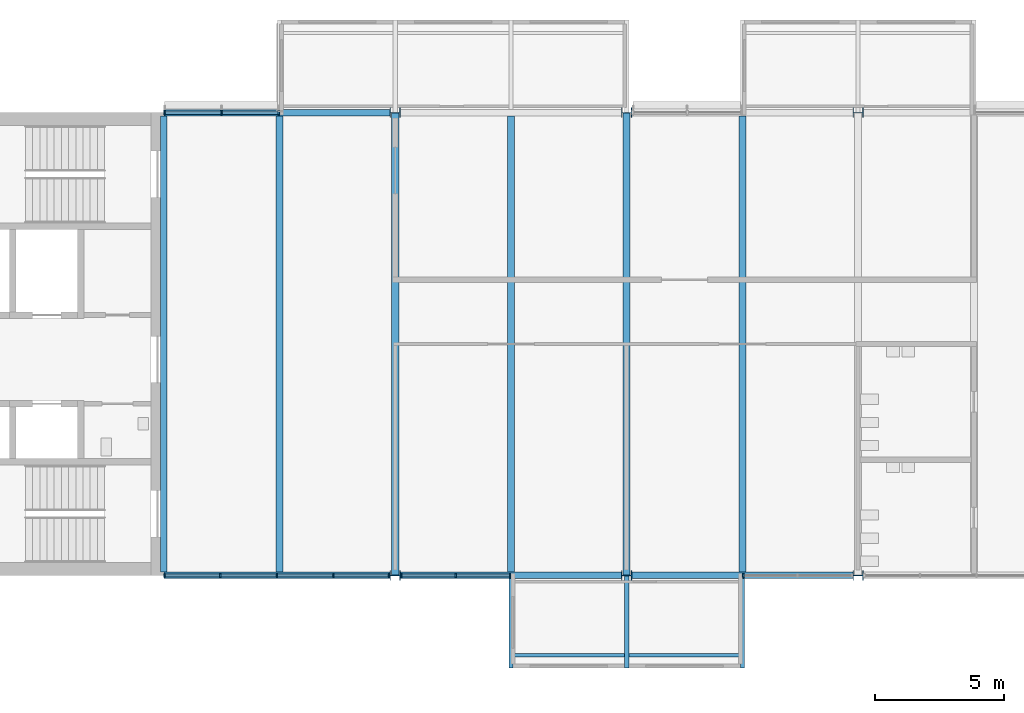
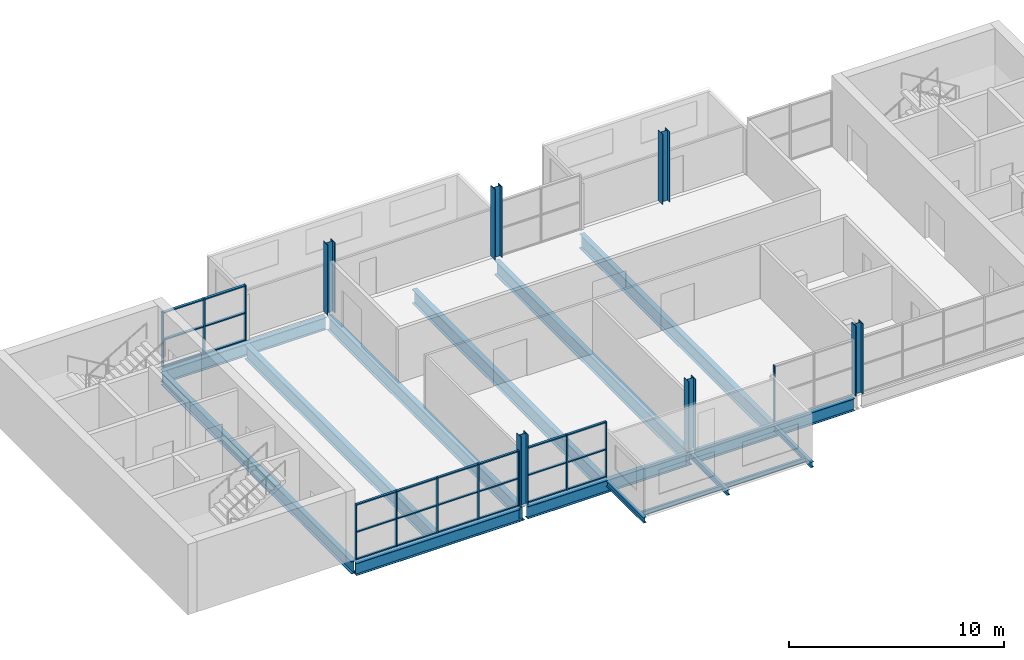
# One storey, part 1 of 10: 36 members, 15 beams, 6 columns, 4 elements without a shape of their own.
"""IFC4 building model written with IfcOpenShell, lengths in metres."""

from ifc_helpers import new_model, si_unit, direction, frame, origin, origin_2d, place, context, subcontext, project, spatial, rectangle, i_section, extrude, material, layer, layer_set, material_profile, profile_set, type_object, element, aggregate, save


model = new_model("IFC4")

# Units and contexts
model_context = context("Model", 3, precision=1e-05, world=origin(), true_north=direction((0.0, 1.0)))
body_context = subcontext(model_context, "Body", "Model", "MODEL_VIEW")
ifc_project = project(units=[si_unit("LENGTHUNIT", "METRE"), si_unit("AREAUNIT", "SQUARE_METRE"), si_unit("VOLUMEUNIT", "CUBIC_METRE"), si_unit("PLANEANGLEUNIT", "RADIAN"), si_unit("MASSUNIT", "GRAM", prefix="KILO")], contexts=[model_context])

# Site, building, storey
site_placement = place(None, origin())
site = spatial("IfcSite", under=ifc_project, at=site_placement, CompositionType="ELEMENT")
building_placement = place(site_placement, origin())
building = spatial("IfcBuilding", under=site, at=building_placement, Name="Corbel Yard City Hall", CompositionType="ELEMENT")
storey_placement = place(building_placement, frame((0.0, 0.0, 43.199951171875)))
storey = spatial("IfcBuildingStorey", under=building, at=storey_placement, Name="L10", CompositionType="ELEMENT", Elevation=43.199951171875)

# Columns
ifc_material_1 = material(Name="Steel Grade 350", Category="steel")
ifc_material_profile_1 = material_profile(ifc_material_1, i_section(OverallWidth=0.39990234375, OverallDepth=0.4140625, WebThickness=0.02490234375, FlangeThickness=0.031982421875, at=origin_2d()), Name="400WC270")
ifc_profile_set_1 = profile_set([ifc_material_profile_1], Name="Steel Grade 350")
column_type = type_object("IfcColumnType", Name="Column 400WC270", PredefinedType="COLUMN", material=ifc_profile_set_1)
for number, where, z_axis, x_axis, name in (
    (1, (18.0, 99.0, 0.0), (0.0, 0.0, 1.0), (0.0, 1.0, 0.0), "Column 400WC270 L/3 L10"),
    (2, (18.0, 117.0, 0.0), (0.0, 0.0, 1.0), (0.0, 1.0, 0.0), "Column 400WC270 N/3 L10"),
    (3, (27.0, 99.0, 0.0), (0.0, 0.0, 1.0), (0.0, 1.0, 0.0), "Column 400WC270 L/4 L10"),
    (4, (27.0, 117.0, 0.0), (0.0, 0.0, 1.0), (0.0, 1.0, 0.0), "Column 400WC270 N/4 L10"),
    (5, (36.0, 99.0, 0.0), (0.0, 0.0, 1.0), (0.0, 1.0, 0.0), "Column 400WC270 L/5 L10"),
    (6, (36.0, 117.0, 0.0), (0.0, 0.0, 1.0), (0.0, 1.0, 0.0), "Column 400WC270 N/5 L10"),
):
    element("IfcColumn", number, at=place(storey_placement, frame(where, z_axis=z_axis, x_axis=x_axis)), inside=storey, type_object=column_type, Name=name, PredefinedType="COLUMN", context=body_context, shape_type="SweptSolid", body=[
        extrude(i_section(OverallWidth=0.39990234375, OverallDepth=0.4140625, WebThickness=0.02490234375, FlangeThickness=0.031982421875, at=origin_2d()), origin(), (0.0, 0.0, 1.0), 4.0),
    ])

# Beams
ifc_material_profile_2 = material_profile(ifc_material_1, i_section(OverallWidth=0.25, OverallDepth=0.699951171875, WebThickness=0.010009765625, FlangeThickness=0.02001953125, at=origin_2d()), Name="700WB130")
ifc_profile_set_2 = profile_set([ifc_material_profile_2], Name="Steel Grade 350")
beam_type_1 = type_object("IfcBeamType", Name="Edge beam 700WB130", PredefinedType="BEAM", material=ifc_profile_set_2)
beam_1_placement = place(storey_placement, frame((9.0, 99.0, -0.5), z_axis=(1.0, 0.0, 0.0), x_axis=(0.0, 1.0, 0.0)))
element("IfcBeam", 7, at=beam_1_placement, inside=storey, type_object=beam_type_1, Name="Edge beam 700WB130 EB9 L10tower", PredefinedType="BEAM", context=body_context, shape_type="SweptSolid", body=[
    extrude(i_section(OverallWidth=0.25, OverallDepth=0.699951171875, WebThickness=0.010009765625, FlangeThickness=0.02001953125, at=origin_2d()), origin(), (0.0, 0.0, 1.0), 8.79296875),
])
for number, where, z_axis, x_axis, name in (
    (8, (18.20703125, 99.0, -0.5), (1.0, 0.0, 0.0), (0.0, 1.0, 0.0), "Edge beam 700WB130 EB9 L10tower"),
    (9, (27.20703125, 99.0, -0.5), (1.0, 0.0, 0.0), (0.0, 1.0, 0.0), "Edge beam 700WB130 EB9 L10tower"),
):
    element("IfcBeam", number, at=place(storey_placement, frame(where, z_axis=z_axis, x_axis=x_axis)), inside=storey, type_object=beam_type_1, Name=name, PredefinedType="BEAM", context=body_context, shape_type="SweptSolid", body=[
        extrude(i_section(OverallWidth=0.25, OverallDepth=0.699951171875, WebThickness=0.010009765625, FlangeThickness=0.02001953125, at=origin_2d()), origin(), (0.0, 0.0, 1.0), 8.5859375),
    ])
beam_2_placement = place(storey_placement, frame((9.0, 117.0, -0.5), z_axis=(1.0, 0.0, 0.0), x_axis=(0.0, 1.0, 0.0)))
element("IfcBeam", 10, at=beam_2_placement, inside=storey, type_object=beam_type_1, Name="Edge beam 700WB130 EB9 L10tower", PredefinedType="BEAM", context=body_context, shape_type="SweptSolid", body=[
    extrude(i_section(OverallWidth=0.25, OverallDepth=0.699951171875, WebThickness=0.010009765625, FlangeThickness=0.02001953125, at=origin_2d()), origin(), (0.0, 0.0, 1.0), 8.79296875),
])
ifc_material_profile_3 = material_profile(ifc_material_1, i_section(OverallWidth=0.27490234375, OverallDepth=0.800048828125, WebThickness=0.010009765625, FlangeThickness=0.02001953125, at=origin_2d()), Name="800WB146")
ifc_profile_set_3 = profile_set([ifc_material_profile_3], Name="Steel Grade 350")
beam_type_2 = type_object("IfcBeamType", Name="Long-span beam 800WB146", PredefinedType="BEAM", material=ifc_profile_set_3)
for number, where, z_axis, x_axis, name in (
    (11, (18.0, 99.012451171875, -0.550048828125), (0.0, 1.0, 0.0), (-1.0, 0.0, 0.0), "Long-span beam 800WB146 SB8 L10tower"),
    (12, (27.0, 99.012451171875, -0.550048828125), (0.0, 1.0, 0.0), (-1.0, 0.0, 0.0), "Long-span beam 800WB146 SB8 L10tower"),
):
    element("IfcBeam", number, at=place(storey_placement, frame(where, z_axis=z_axis, x_axis=x_axis)), inside=storey, type_object=beam_type_2, Name=name, PredefinedType="BEAM", context=body_context, shape_type="SweptSolid", body=[
        extrude(i_section(OverallWidth=0.27490234375, OverallDepth=0.800048828125, WebThickness=0.010009765625, FlangeThickness=0.02001953125, at=origin_2d()), origin(), (0.0, 0.0, 1.0), 17.97509765625),
    ])
ifc_material_profile_4 = material_profile(ifc_material_1, i_section(OverallWidth=0.25, OverallDepth=0.7099609375, WebThickness=0.010009765625, FlangeThickness=0.02490234375, at=origin_2d()), Name="700WB150")
ifc_profile_set_4 = profile_set([ifc_material_profile_4], Name="Steel Grade 350")
beam_type_3 = type_object("IfcBeamType", Name="Long-span edge beam 700WB150", PredefinedType="BEAM", material=ifc_profile_set_4)
beam_3_placement = place(storey_placement, frame((9.0, 99.125, -0.5048828125), z_axis=(0.0, 1.0, 0.0), x_axis=(-1.0, 0.0, 0.0)))
element("IfcBeam", 13, at=beam_3_placement, inside=storey, type_object=beam_type_3, Name="Long-span edge beam 700WB150 EB8 L10tower", PredefinedType="BEAM", context=body_context, shape_type="SweptSolid", body=[
    extrude(i_section(OverallWidth=0.25, OverallDepth=0.7099609375, WebThickness=0.010009765625, FlangeThickness=0.02490234375, at=origin_2d()), origin(), (0.0, 0.0, 1.0), 17.75),
])
ifc_material_profile_5 = material_profile(ifc_material_1, i_section(OverallWidth=0.27490234375, OverallDepth=0.800048828125, WebThickness=0.010009765625, FlangeThickness=0.02001953125, at=origin_2d()), Name="800WB146")
ifc_profile_set_5 = profile_set([ifc_material_profile_5], Name="Steel Grade 350")
beam_type_4 = type_object("IfcBeamType", Name="Long-span secondary beam 800WB146", PredefinedType="JOIST", material=ifc_profile_set_5)
for number, where, z_axis, x_axis, name in (
    (14, (13.5, 99.125, -0.550048828125), (0.0, 1.0, 0.0), (-1.0, 0.0, 0.0), "Long-span secondary beam 800WB146 SB7 L10tower"),
    (15, (22.5, 99.125, -0.550048828125), (0.0, 1.0, 0.0), (-1.0, 0.0, 0.0), "Long-span secondary beam 800WB146 SB7 L10tower"),
    (16, (31.5, 99.125, -0.550048828125), (0.0, 1.0, 0.0), (-1.0, 0.0, 0.0), "Long-span secondary beam 800WB146 SB7 L10tower"),
):
    element("IfcBeam", number, at=place(storey_placement, frame(where, z_axis=z_axis, x_axis=x_axis)), inside=storey, type_object=beam_type_4, Name=name, PredefinedType="JOIST", context=body_context, shape_type="SweptSolid", body=[
        extrude(i_section(OverallWidth=0.27490234375, OverallDepth=0.800048828125, WebThickness=0.010009765625, FlangeThickness=0.02001953125, at=origin_2d()), origin(), (0.0, 0.0, 1.0), 17.75),
    ])

# Curtain wall, members
ifc_material_2 = material(Name="Aluminium extrusion", Category="aluminium")
ifc_layer_1 = layer(ifc_material_2, 0.14990234375)
ifc_layer_set_1 = layer_set([ifc_layer_1], Name="Aluminium extrusion")
curtain_wall_type_1 = type_object("IfcCurtainWallType", Name="CW2", PredefinedType="USERDEFINED", material=ifc_layer_set_1)
curtain_wall_1_placement = place(storey_placement, origin())
curtain_wall_1 = element("IfcCurtainWall", 17, at=curtain_wall_1_placement, inside=storey, type_object=curtain_wall_type_1, Name="Curtain wall CW2 L10", ObjectType="CURTAIN WALL", PredefinedType="USERDEFINED")
ifc_material_profile_6 = material_profile(ifc_material_2, rectangle(XDim=0.14990234375, YDim=0.06494140625, at=origin_2d()), Name="150x65")
ifc_profile_set_6 = profile_set([ifc_material_profile_6], Name="Aluminium extrusion")
member_type_1 = type_object("IfcMemberType", Name="ML2", PredefinedType="MULLION", material=ifc_profile_set_6)
member_1_placement = place(storey_placement, frame((9.032470703125, 99.0, 0.0), z_axis=(0.0, 0.0, 1.0), x_axis=(0.0, 1.0, 0.0)))
member_1 = element("IfcMember", 18, at=member_1_placement, type_object=member_type_1, Name="CW2 mullion 1", PredefinedType="MULLION", context=body_context, shape_type="SweptSolid", body=[
    extrude(rectangle(XDim=0.14990234375, YDim=0.06494140625, at=origin_2d()), origin(), (0.0, 0.0, 1.0), 3.150146484375),
])
member_2_placement = place(storey_placement, frame((11.1982421875, 99.0, 0.0), z_axis=(0.0, 0.0, 1.0), x_axis=(0.0, 1.0, 0.0)))
member_2 = element("IfcMember", 19, at=member_2_placement, type_object=member_type_1, Name="CW2 mullion 2", PredefinedType="MULLION", context=body_context, shape_type="SweptSolid", body=[
    extrude(rectangle(XDim=0.14990234375, YDim=0.06494140625, at=origin_2d()), origin(), (0.0, 0.0, 1.0), 3.150146484375),
])
member_3_placement = place(storey_placement, frame((13.396484375, 99.0, 0.0), z_axis=(0.0, 0.0, 1.0), x_axis=(0.0, 1.0, 0.0)))
member_3 = element("IfcMember", 20, at=member_3_placement, type_object=member_type_1, Name="CW2 mullion 3", PredefinedType="MULLION", context=body_context, shape_type="SweptSolid", body=[
    extrude(rectangle(XDim=0.14990234375, YDim=0.06494140625, at=origin_2d()), origin(), (0.0, 0.0, 1.0), 3.150146484375),
])
member_4_placement = place(storey_placement, frame((15.5947265625, 99.0, 0.0), z_axis=(0.0, 0.0, 1.0), x_axis=(0.0, 1.0, 0.0)))
member_4 = element("IfcMember", 21, at=member_4_placement, type_object=member_type_1, Name="CW2 mullion 4", PredefinedType="MULLION", context=body_context, shape_type="SweptSolid", body=[
    extrude(rectangle(XDim=0.14990234375, YDim=0.06494140625, at=origin_2d()), origin(), (0.0, 0.0, 1.0), 3.150146484375),
])
member_5_placement = place(storey_placement, frame((17.760498046875, 99.0, 0.0), z_axis=(0.0, 0.0, 1.0), x_axis=(0.0, 1.0, 0.0)))
member_5 = element("IfcMember", 22, at=member_5_placement, type_object=member_type_1, Name="CW2 mullion 5", PredefinedType="MULLION", context=body_context, shape_type="SweptSolid", body=[
    extrude(rectangle(XDim=0.14990234375, YDim=0.06494140625, at=origin_2d()), origin(), (0.0, 0.0, 1.0), 3.150146484375),
])

curtain_wall_2_placement = place(storey_placement, origin())
curtain_wall_2 = element("IfcCurtainWall", 23, at=curtain_wall_2_placement, inside=storey, type_object=curtain_wall_type_1, Name="Curtain wall CW2 L10", ObjectType="CURTAIN WALL", PredefinedType="USERDEFINED")
member_6_placement = place(storey_placement, frame((18.239501953125, 99.0, 0.0), z_axis=(0.0, 0.0, 1.0), x_axis=(0.0, 1.0, 0.0)))
member_6 = element("IfcMember", 24, at=member_6_placement, type_object=member_type_1, Name="CW2 mullion 1", PredefinedType="MULLION", context=body_context, shape_type="SweptSolid", body=[
    extrude(rectangle(XDim=0.14990234375, YDim=0.06494140625, at=origin_2d()), origin(), (0.0, 0.0, 1.0), 3.150146484375),
])
member_7_placement = place(storey_placement, frame((20.353515625, 99.0, 0.0), z_axis=(0.0, 0.0, 1.0), x_axis=(0.0, 1.0, 0.0)))
member_7 = element("IfcMember", 25, at=member_7_placement, type_object=member_type_1, Name="CW2 mullion 2", PredefinedType="MULLION", context=body_context, shape_type="SweptSolid", body=[
    extrude(rectangle(XDim=0.14990234375, YDim=0.06494140625, at=origin_2d()), origin(), (0.0, 0.0, 1.0), 3.150146484375),
])
member_8_placement = place(storey_placement, frame((22.467529296875, 99.0, 0.0), z_axis=(0.0, 0.0, 1.0), x_axis=(0.0, 1.0, 0.0)))
member_8 = element("IfcMember", 26, at=member_8_placement, type_object=member_type_1, Name="CW2 mullion 3", PredefinedType="MULLION", context=body_context, shape_type="SweptSolid", body=[
    extrude(rectangle(XDim=0.14990234375, YDim=0.06494140625, at=origin_2d()), origin(), (0.0, 0.0, 1.0), 3.150146484375),
])

# Curtain wall, member
curtain_wall_3_placement = place(storey_placement, origin())
curtain_wall_3 = element("IfcCurtainWall", 27, at=curtain_wall_3_placement, inside=storey, type_object=curtain_wall_type_1, Name="Curtain wall CW2 L10", ObjectType="CURTAIN WALL", PredefinedType="USERDEFINED")
member_9_placement = place(storey_placement, frame((31.532470703125, 99.0, 0.0), z_axis=(0.0, 0.0, 1.0), x_axis=(0.0, 1.0, 0.0)))
member_9 = element("IfcMember", 28, at=member_9_placement, type_object=member_type_1, Name="CW2 mullion 1", PredefinedType="MULLION", context=body_context, shape_type="SweptSolid", body=[
    extrude(rectangle(XDim=0.14990234375, YDim=0.06494140625, at=origin_2d()), origin(), (0.0, 0.0, 1.0), 3.150146484375),
])
aggregate(curtain_wall_3, [member_9])

# Curtain wall, members
ifc_layer_2 = layer(ifc_material_2, 0.179931640625)
ifc_layer_set_2 = layer_set([ifc_layer_2], Name="Aluminium extrusion")
curtain_wall_type_2 = type_object("IfcCurtainWallType", Name="CW6", PredefinedType="USERDEFINED", material=ifc_layer_set_2)
curtain_wall_4_placement = place(storey_placement, origin())
curtain_wall_4 = element("IfcCurtainWall", 29, at=curtain_wall_4_placement, inside=storey, type_object=curtain_wall_type_2, Name="Curtain wall CW6 L10", ObjectType="CURTAIN WALL", PredefinedType="USERDEFINED")
ifc_material_profile_7 = material_profile(ifc_material_2, rectangle(XDim=0.179931640625, YDim=0.06494140625, at=origin_2d()), Name="180x65")
ifc_profile_set_7 = profile_set([ifc_material_profile_7], Name="Aluminium extrusion")
member_type_2 = type_object("IfcMemberType", Name="ML6", PredefinedType="MULLION", material=ifc_profile_set_7)
member_10_placement = place(storey_placement, frame((9.032470703125, 117.0, 0.0), z_axis=(0.0, 0.0, 1.0), x_axis=(0.0, 1.0, 0.0)))
member_10 = element("IfcMember", 30, at=member_10_placement, type_object=member_type_2, Name="CW6 mullion 1", PredefinedType="MULLION", context=body_context, shape_type="SweptSolid", body=[
    extrude(rectangle(XDim=0.179931640625, YDim=0.06494140625, at=origin_2d()), origin(), (0.0, 0.0, 1.0), 3.150146484375),
])
member_11_placement = place(storey_placement, frame((11.25, 117.0, 0.0), z_axis=(0.0, 0.0, 1.0), x_axis=(0.0, 1.0, 0.0)))
member_11 = element("IfcMember", 31, at=member_11_placement, type_object=member_type_2, Name="CW6 mullion 2", PredefinedType="MULLION", context=body_context, shape_type="SweptSolid", body=[
    extrude(rectangle(XDim=0.179931640625, YDim=0.06494140625, at=origin_2d()), origin(), (0.0, 0.0, 1.0), 3.150146484375),
])
member_12_placement = place(storey_placement, frame((13.467529296875, 117.0, 0.0), z_axis=(0.0, 0.0, 1.0), x_axis=(0.0, 1.0, 0.0)))
member_12 = element("IfcMember", 32, at=member_12_placement, type_object=member_type_2, Name="CW6 mullion 3", PredefinedType="MULLION", context=body_context, shape_type="SweptSolid", body=[
    extrude(rectangle(XDim=0.179931640625, YDim=0.06494140625, at=origin_2d()), origin(), (0.0, 0.0, 1.0), 3.150146484375),
])

# Beams
ifc_material_3 = material(Name="Steel Grade 300 (300 MPa yield)", Category="steel")
ifc_material_profile_8 = material_profile(ifc_material_3, i_section(OverallWidth=0.166015625, OverallDepth=0.306884765625, WebThickness=0.006591796875, FlangeThickness=0.01171875, at=origin_2d()), Name="310UB46.2")
ifc_profile_set_8 = profile_set([ifc_material_profile_8], Name="Steel Grade 300 (300 MPa yield)")
beam_type_5 = type_object("IfcBeamType", Name="Pod stub beam 310UB46.2", PredefinedType="BEAM", material=ifc_profile_set_8)
beam_4_placement = place(storey_placement, frame((22.5, 95.39990234375, -0.303466796875), z_axis=(0.0, 1.0, 0.0), x_axis=(-1.0, 0.0, 0.0)))
element("IfcBeam", 33, at=beam_4_placement, inside=storey, type_object=beam_type_5, Name="Pod stub 310UB46.2 CB1 L10", PredefinedType="BEAM", context=body_context, shape_type="SweptSolid", body=[
    extrude(i_section(OverallWidth=0.166015625, OverallDepth=0.306884765625, WebThickness=0.006591796875, FlangeThickness=0.01171875, at=origin_2d()), origin(), (0.0, 0.0, 1.0), 3.47509765625),
])
beam_5_placement = place(storey_placement, frame((27.0, 95.39990234375, -0.303466796875), z_axis=(0.0, 1.0, 0.0), x_axis=(-1.0, 0.0, 0.0)))
element("IfcBeam", 34, at=beam_5_placement, inside=storey, type_object=beam_type_5, Name="Pod stub 310UB46.2 CB1 L10", PredefinedType="BEAM", context=body_context, shape_type="SweptSolid", body=[
    extrude(i_section(OverallWidth=0.166015625, OverallDepth=0.306884765625, WebThickness=0.006591796875, FlangeThickness=0.01171875, at=origin_2d()), origin(), (0.0, 0.0, 1.0), 3.587646484375),
])
beam_6_placement = place(storey_placement, frame((31.5, 95.39990234375, -0.303466796875), z_axis=(0.0, 1.0, 0.0), x_axis=(-1.0, 0.0, 0.0)))
element("IfcBeam", 35, at=beam_6_placement, inside=storey, type_object=beam_type_5, Name="Pod stub 310UB46.2 CB1 L10", PredefinedType="BEAM", context=body_context, shape_type="SweptSolid", body=[
    extrude(i_section(OverallWidth=0.166015625, OverallDepth=0.306884765625, WebThickness=0.006591796875, FlangeThickness=0.01171875, at=origin_2d()), origin(), (0.0, 0.0, 1.0), 3.47509765625),
])
ifc_material_profile_9 = material_profile(ifc_material_3, i_section(OverallWidth=0.1240234375, OverallDepth=0.248046875, WebThickness=0.0048828125, FlangeThickness=0.008056640625, at=origin_2d()), Name="250UB25.7")
ifc_profile_set_9 = profile_set([ifc_material_profile_9], Name="Steel Grade 300 (300 MPa yield)")
beam_type_6 = type_object("IfcBeamType", Name="Pod tip beam", PredefinedType="BEAM", material=ifc_profile_set_9)
for number, where, z_axis, x_axis, name in (
    (36, (22.5830078125, 95.89990234375, -0.27392578125), (1.0, 0.0, 0.0), (0.0, 1.0, 0.0), "Pod tip beam"),
    (37, (27.0830078125, 95.89990234375, -0.27392578125), (1.0, 0.0, 0.0), (0.0, 1.0, 0.0), "Pod tip beam"),
):
    element("IfcBeam", number, at=place(storey_placement, frame(where, z_axis=z_axis, x_axis=x_axis)), inside=storey, type_object=beam_type_6, Name=name, PredefinedType="BEAM", context=body_context, shape_type="SweptSolid", body=[
        extrude(i_section(OverallWidth=0.1240234375, OverallDepth=0.248046875, WebThickness=0.0048828125, FlangeThickness=0.008056640625, at=origin_2d()), origin(), (0.0, 0.0, 1.0), 4.333984375),
    ])

# Member
ifc_material_profile_10 = material_profile(ifc_material_2, rectangle(XDim=0.1201171875, YDim=0.06494140625, at=origin_2d()), Name="120x65")
ifc_profile_set_10 = profile_set([ifc_material_profile_10], Name="Aluminium extrusion")
member_type_3 = type_object("IfcMemberType", Name="TR2", PredefinedType="USERDEFINED", material=ifc_profile_set_10)
member_13_placement = place(storey_placement, frame((9.06494140625, 99.0, 0.032470703125), z_axis=(1.0, 0.0, 0.0), x_axis=(0.0, 1.0, 0.0)))
member_13 = element("IfcMember", 38, at=member_13_placement, type_object=member_type_3, Name="CW2 transom 1.1", ObjectType="TRANSOM", PredefinedType="USERDEFINED", context=body_context, shape_type="SweptSolid", body=[
    extrude(rectangle(XDim=0.1201171875, YDim=0.06494140625, at=origin_2d()), origin(), (0.0, 0.0, 1.0), 2.100830078125),
])

member_14_placement = place(storey_placement, frame((9.06494140625, 99.0, 1.574951171875), z_axis=(1.0, 0.0, 0.0), x_axis=(0.0, 1.0, 0.0)))
member_14 = element("IfcMember", 39, at=member_14_placement, type_object=member_type_3, Name="CW2 transom 1.2", ObjectType="TRANSOM", PredefinedType="USERDEFINED", context=body_context, shape_type="SweptSolid", body=[
    extrude(rectangle(XDim=0.1201171875, YDim=0.06494140625, at=origin_2d()), origin(), (0.0, 0.0, 1.0), 2.100830078125),
])

member_15_placement = place(storey_placement, frame((9.06494140625, 99.0, 3.117431640625), z_axis=(1.0, 0.0, 0.0), x_axis=(0.0, 1.0, 0.0)))
member_15 = element("IfcMember", 40, at=member_15_placement, type_object=member_type_3, Name="CW2 transom 1.3", ObjectType="TRANSOM", PredefinedType="USERDEFINED", context=body_context, shape_type="SweptSolid", body=[
    extrude(rectangle(XDim=0.1201171875, YDim=0.06494140625, at=origin_2d()), origin(), (0.0, 0.0, 1.0), 2.100830078125),
])

member_16_placement = place(storey_placement, frame((11.230712890625, 99.0, 0.032470703125), z_axis=(1.0, 0.0, 0.0), x_axis=(0.0, 1.0, 0.0)))
member_16 = element("IfcMember", 41, at=member_16_placement, type_object=member_type_3, Name="CW2 transom 2.1", ObjectType="TRANSOM", PredefinedType="USERDEFINED", context=body_context, shape_type="SweptSolid", body=[
    extrude(rectangle(XDim=0.1201171875, YDim=0.06494140625, at=origin_2d()), origin(), (0.0, 0.0, 1.0), 2.13330078125),
])

member_17_placement = place(storey_placement, frame((11.230712890625, 99.0, 1.574951171875), z_axis=(1.0, 0.0, 0.0), x_axis=(0.0, 1.0, 0.0)))
member_17 = element("IfcMember", 42, at=member_17_placement, type_object=member_type_3, Name="CW2 transom 2.2", ObjectType="TRANSOM", PredefinedType="USERDEFINED", context=body_context, shape_type="SweptSolid", body=[
    extrude(rectangle(XDim=0.1201171875, YDim=0.06494140625, at=origin_2d()), origin(), (0.0, 0.0, 1.0), 2.13330078125),
])

member_18_placement = place(storey_placement, frame((11.230712890625, 99.0, 3.117431640625), z_axis=(1.0, 0.0, 0.0), x_axis=(0.0, 1.0, 0.0)))
member_18 = element("IfcMember", 43, at=member_18_placement, type_object=member_type_3, Name="CW2 transom 2.3", ObjectType="TRANSOM", PredefinedType="USERDEFINED", context=body_context, shape_type="SweptSolid", body=[
    extrude(rectangle(XDim=0.1201171875, YDim=0.06494140625, at=origin_2d()), origin(), (0.0, 0.0, 1.0), 2.13330078125),
])

member_19_placement = place(storey_placement, frame((13.428955078125, 99.0, 0.032470703125), z_axis=(1.0, 0.0, 0.0), x_axis=(0.0, 1.0, 0.0)))
member_19 = element("IfcMember", 44, at=member_19_placement, type_object=member_type_3, Name="CW2 transom 3.1", ObjectType="TRANSOM", PredefinedType="USERDEFINED", context=body_context, shape_type="SweptSolid", body=[
    extrude(rectangle(XDim=0.1201171875, YDim=0.06494140625, at=origin_2d()), origin(), (0.0, 0.0, 1.0), 2.13330078125),
])

member_20_placement = place(storey_placement, frame((13.428955078125, 99.0, 1.574951171875), z_axis=(1.0, 0.0, 0.0), x_axis=(0.0, 1.0, 0.0)))
member_20 = element("IfcMember", 45, at=member_20_placement, type_object=member_type_3, Name="CW2 transom 3.2", ObjectType="TRANSOM", PredefinedType="USERDEFINED", context=body_context, shape_type="SweptSolid", body=[
    extrude(rectangle(XDim=0.1201171875, YDim=0.06494140625, at=origin_2d()), origin(), (0.0, 0.0, 1.0), 2.13330078125),
])

member_21_placement = place(storey_placement, frame((13.428955078125, 99.0, 3.117431640625), z_axis=(1.0, 0.0, 0.0), x_axis=(0.0, 1.0, 0.0)))
member_21 = element("IfcMember", 46, at=member_21_placement, type_object=member_type_3, Name="CW2 transom 3.3", ObjectType="TRANSOM", PredefinedType="USERDEFINED", context=body_context, shape_type="SweptSolid", body=[
    extrude(rectangle(XDim=0.1201171875, YDim=0.06494140625, at=origin_2d()), origin(), (0.0, 0.0, 1.0), 2.13330078125),
])

member_22_placement = place(storey_placement, frame((15.627197265625, 99.0, 0.032470703125), z_axis=(1.0, 0.0, 0.0), x_axis=(0.0, 1.0, 0.0)))
member_22 = element("IfcMember", 47, at=member_22_placement, type_object=member_type_3, Name="CW2 transom 4.1", ObjectType="TRANSOM", PredefinedType="USERDEFINED", context=body_context, shape_type="SweptSolid", body=[
    extrude(rectangle(XDim=0.1201171875, YDim=0.06494140625, at=origin_2d()), origin(), (0.0, 0.0, 1.0), 2.100830078125),
])

member_23_placement = place(storey_placement, frame((15.627197265625, 99.0, 1.574951171875), z_axis=(1.0, 0.0, 0.0), x_axis=(0.0, 1.0, 0.0)))
member_23 = element("IfcMember", 48, at=member_23_placement, type_object=member_type_3, Name="CW2 transom 4.2", ObjectType="TRANSOM", PredefinedType="USERDEFINED", context=body_context, shape_type="SweptSolid", body=[
    extrude(rectangle(XDim=0.1201171875, YDim=0.06494140625, at=origin_2d()), origin(), (0.0, 0.0, 1.0), 2.100830078125),
])

member_24_placement = place(storey_placement, frame((15.627197265625, 99.0, 3.117431640625), z_axis=(1.0, 0.0, 0.0), x_axis=(0.0, 1.0, 0.0)))
member_24 = element("IfcMember", 49, at=member_24_placement, type_object=member_type_3, Name="CW2 transom 4.3", ObjectType="TRANSOM", PredefinedType="USERDEFINED", context=body_context, shape_type="SweptSolid", body=[
    extrude(rectangle(XDim=0.1201171875, YDim=0.06494140625, at=origin_2d()), origin(), (0.0, 0.0, 1.0), 2.100830078125),
])

aggregate(curtain_wall_1, [member_1, member_2, member_3, member_4, member_5, member_13, member_14, member_15, member_16, member_17, member_18, member_19, member_20, member_21, member_22, member_23, member_24])

member_25_placement = place(storey_placement, frame((18.27197265625, 99.0, 0.032470703125), z_axis=(1.0, 0.0, 0.0), x_axis=(0.0, 1.0, 0.0)))
member_25 = element("IfcMember", 50, at=member_25_placement, type_object=member_type_3, Name="CW2 transom 1.1", ObjectType="TRANSOM", PredefinedType="USERDEFINED", context=body_context, shape_type="SweptSolid", body=[
    extrude(rectangle(XDim=0.1201171875, YDim=0.06494140625, at=origin_2d()), origin(), (0.0, 0.0, 1.0), 2.049072265625),
])

member_26_placement = place(storey_placement, frame((18.27197265625, 99.0, 1.574951171875), z_axis=(1.0, 0.0, 0.0), x_axis=(0.0, 1.0, 0.0)))
member_26 = element("IfcMember", 51, at=member_26_placement, type_object=member_type_3, Name="CW2 transom 1.2", ObjectType="TRANSOM", PredefinedType="USERDEFINED", context=body_context, shape_type="SweptSolid", body=[
    extrude(rectangle(XDim=0.1201171875, YDim=0.06494140625, at=origin_2d()), origin(), (0.0, 0.0, 1.0), 2.049072265625),
])

member_27_placement = place(storey_placement, frame((18.27197265625, 99.0, 3.117431640625), z_axis=(1.0, 0.0, 0.0), x_axis=(0.0, 1.0, 0.0)))
member_27 = element("IfcMember", 52, at=member_27_placement, type_object=member_type_3, Name="CW2 transom 1.3", ObjectType="TRANSOM", PredefinedType="USERDEFINED", context=body_context, shape_type="SweptSolid", body=[
    extrude(rectangle(XDim=0.1201171875, YDim=0.06494140625, at=origin_2d()), origin(), (0.0, 0.0, 1.0), 2.049072265625),
])

member_28_placement = place(storey_placement, frame((20.385986328125, 99.0, 0.032470703125), z_axis=(1.0, 0.0, 0.0), x_axis=(0.0, 1.0, 0.0)))
member_28 = element("IfcMember", 53, at=member_28_placement, type_object=member_type_3, Name="CW2 transom 2.1", ObjectType="TRANSOM", PredefinedType="USERDEFINED", context=body_context, shape_type="SweptSolid", body=[
    extrude(rectangle(XDim=0.1201171875, YDim=0.06494140625, at=origin_2d()), origin(), (0.0, 0.0, 1.0), 2.049072265625),
])

member_29_placement = place(storey_placement, frame((20.385986328125, 99.0, 1.574951171875), z_axis=(1.0, 0.0, 0.0), x_axis=(0.0, 1.0, 0.0)))
member_29 = element("IfcMember", 54, at=member_29_placement, type_object=member_type_3, Name="CW2 transom 2.2", ObjectType="TRANSOM", PredefinedType="USERDEFINED", context=body_context, shape_type="SweptSolid", body=[
    extrude(rectangle(XDim=0.1201171875, YDim=0.06494140625, at=origin_2d()), origin(), (0.0, 0.0, 1.0), 2.049072265625),
])

member_30_placement = place(storey_placement, frame((20.385986328125, 99.0, 3.117431640625), z_axis=(1.0, 0.0, 0.0), x_axis=(0.0, 1.0, 0.0)))
member_30 = element("IfcMember", 55, at=member_30_placement, type_object=member_type_3, Name="CW2 transom 2.3", ObjectType="TRANSOM", PredefinedType="USERDEFINED", context=body_context, shape_type="SweptSolid", body=[
    extrude(rectangle(XDim=0.1201171875, YDim=0.06494140625, at=origin_2d()), origin(), (0.0, 0.0, 1.0), 2.049072265625),
])

aggregate(curtain_wall_2, [member_6, member_7, member_8, member_25, member_26, member_27, member_28, member_29, member_30])

ifc_material_profile_11 = material_profile(ifc_material_2, rectangle(XDim=0.139892578125, YDim=0.06494140625, at=origin_2d()), Name="140x65")
ifc_profile_set_11 = profile_set([ifc_material_profile_11], Name="Aluminium extrusion")
member_type_4 = type_object("IfcMemberType", Name="TR6", PredefinedType="USERDEFINED", material=ifc_profile_set_11)
member_31_placement = place(storey_placement, frame((9.06494140625, 117.0, 0.032470703125), z_axis=(1.0, 0.0, 0.0), x_axis=(0.0, 1.0, 0.0)))
member_31 = element("IfcMember", 56, at=member_31_placement, type_object=member_type_4, Name="CW6 transom 1.1", ObjectType="TRANSOM", PredefinedType="USERDEFINED", context=body_context, shape_type="SweptSolid", body=[
    extrude(rectangle(XDim=0.139892578125, YDim=0.06494140625, at=origin_2d()), origin(), (0.0, 0.0, 1.0), 2.152587890625),
])

member_32_placement = place(storey_placement, frame((9.06494140625, 117.0, 1.574951171875), z_axis=(1.0, 0.0, 0.0), x_axis=(0.0, 1.0, 0.0)))
member_32 = element("IfcMember", 57, at=member_32_placement, type_object=member_type_4, Name="CW6 transom 1.2", ObjectType="TRANSOM", PredefinedType="USERDEFINED", context=body_context, shape_type="SweptSolid", body=[
    extrude(rectangle(XDim=0.139892578125, YDim=0.06494140625, at=origin_2d()), origin(), (0.0, 0.0, 1.0), 2.152587890625),
])

member_33_placement = place(storey_placement, frame((9.06494140625, 117.0, 3.117431640625), z_axis=(1.0, 0.0, 0.0), x_axis=(0.0, 1.0, 0.0)))
member_33 = element("IfcMember", 58, at=member_33_placement, type_object=member_type_4, Name="CW6 transom 1.3", ObjectType="TRANSOM", PredefinedType="USERDEFINED", context=body_context, shape_type="SweptSolid", body=[
    extrude(rectangle(XDim=0.139892578125, YDim=0.06494140625, at=origin_2d()), origin(), (0.0, 0.0, 1.0), 2.152587890625),
])

member_34_placement = place(storey_placement, frame((11.282470703125, 117.0, 0.032470703125), z_axis=(1.0, 0.0, 0.0), x_axis=(0.0, 1.0, 0.0)))
member_34 = element("IfcMember", 59, at=member_34_placement, type_object=member_type_4, Name="CW6 transom 2.1", ObjectType="TRANSOM", PredefinedType="USERDEFINED", context=body_context, shape_type="SweptSolid", body=[
    extrude(rectangle(XDim=0.139892578125, YDim=0.06494140625, at=origin_2d()), origin(), (0.0, 0.0, 1.0), 2.152587890625),
])

member_35_placement = place(storey_placement, frame((11.282470703125, 117.0, 1.574951171875), z_axis=(1.0, 0.0, 0.0), x_axis=(0.0, 1.0, 0.0)))
member_35 = element("IfcMember", 60, at=member_35_placement, type_object=member_type_4, Name="CW6 transom 2.2", ObjectType="TRANSOM", PredefinedType="USERDEFINED", context=body_context, shape_type="SweptSolid", body=[
    extrude(rectangle(XDim=0.139892578125, YDim=0.06494140625, at=origin_2d()), origin(), (0.0, 0.0, 1.0), 2.152587890625),
])

member_36_placement = place(storey_placement, frame((11.282470703125, 117.0, 3.117431640625), z_axis=(1.0, 0.0, 0.0), x_axis=(0.0, 1.0, 0.0)))
member_36 = element("IfcMember", 61, at=member_36_placement, type_object=member_type_4, Name="CW6 transom 2.3", ObjectType="TRANSOM", PredefinedType="USERDEFINED", context=body_context, shape_type="SweptSolid", body=[
    extrude(rectangle(XDim=0.139892578125, YDim=0.06494140625, at=origin_2d()), origin(), (0.0, 0.0, 1.0), 2.152587890625),
])

aggregate(curtain_wall_4, [member_10, member_11, member_12, member_31, member_32, member_33, member_34, member_35, member_36])

save(model, "model.ifc")
